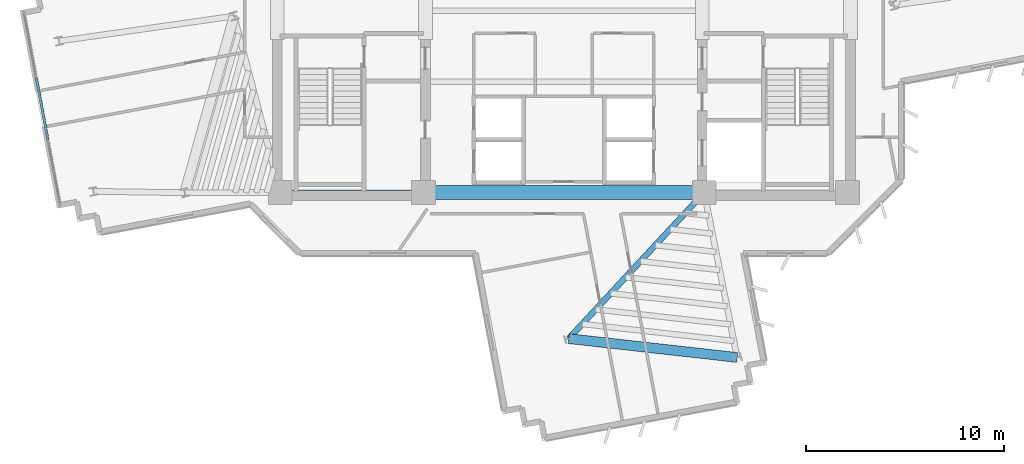
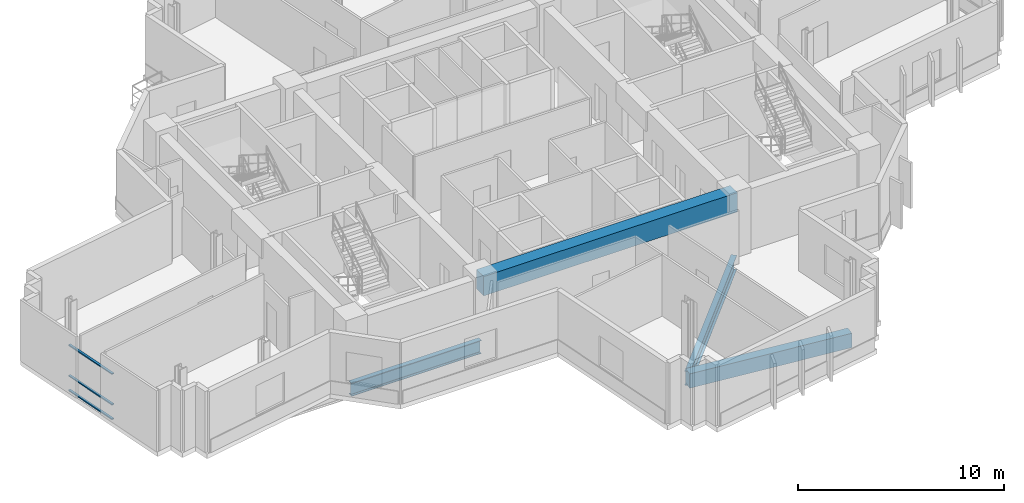
# One storey, part 3 of 16: 4 beams, 3 members, 1 element without a shape of its own.
"""IFC4 building model written with IfcOpenShell, lengths in metres."""

from ifc_helpers import new_model, si_unit, direction, frame, origin, origin_2d, place, context, subcontext, project, spatial, rectangle, i_section, extrude, source, transform, mapped, material, layer, layer_set, material_profile, profile_set, type_object, element, aggregate, save


model = new_model("IFC4")

# Units and contexts
model_context = context("Model", 3, precision=1e-05, world=origin(), true_north=direction((0.0, 1.0)))
body_context = subcontext(model_context, "Body", "Model", "MODEL_VIEW")
ifc_project = project(units=[si_unit("LENGTHUNIT", "METRE"), si_unit("AREAUNIT", "SQUARE_METRE"), si_unit("VOLUMEUNIT", "CUBIC_METRE"), si_unit("PLANEANGLEUNIT", "RADIAN"), si_unit("MASSUNIT", "GRAM", prefix="KILO")], contexts=[model_context])

# Site, building, storey
site_placement = place(None, origin())
site = spatial("IfcSite", under=ifc_project, at=site_placement, CompositionType="ELEMENT")
building_placement = place(site_placement, origin())
building = spatial("IfcBuilding", under=site, at=building_placement, Name="Zahravan Cultural Tower", CompositionType="ELEMENT")
storey_placement = place(building_placement, frame((0.0, 0.0, 147.300048828125)))
storey = spatial("IfcBuildingStorey", under=building, at=storey_placement, Name="L33", CompositionType="ELEMENT", Elevation=147.300048828125)

# Beams
ifc_material_1 = material(Name="Concrete C50/60", Category="concrete")
ifc_material_profile_1 = material_profile(ifc_material_1, rectangle(XDim=0.699951171875, YDim=1.14990234375, at=origin_2d()), Name="RC700X1150")
ifc_profile_set_1 = profile_set([ifc_material_profile_1], Name="Concrete C50/60")
beam_type_1 = type_object("IfcBeamType", Name="BM-LN-RC700X1150", PredefinedType="LINTEL", material=ifc_profile_set_1)
shared_shape_1 = source(origin(), body_context, "Body", "SweptSolid", [
    extrude(rectangle(XDim=0.699951171875, YDim=1.14990234375, at=origin_2d()), origin(), (0.0, 0.0, 1.0), 14.2001953125),
])
beam_1_placement = place(storey_placement, frame((28.89990234375, 17.800048828125, 3.044921875), z_axis=(1.0, 0.0, 0.0), x_axis=(0.0, 1.0, 0.0)))
element("IfcBeam", 1, at=beam_1_placement, inside=storey, type_object=beam_type_1, Name="L33 Beam LN-L33-S", PredefinedType="LINTEL", context=body_context, shape_type="MappedRepresentation", body=[
    mapped(shared_shape_1, transform((0.0, 0.0, 0.0), x_axis=(1.0, 0.0, 0.0), y_axis=(0.0, 1.0, 0.0), z_axis=(0.0, 0.0, 1.0), scale=1.0)),
])
ifc_material_2 = material(Name="Steel ASTM A992 Grade 50", Category="steel")
ifc_material_profile_2 = material_profile(ifc_material_2, i_section(OverallWidth=0.26611328125, OverallDepth=0.780029296875, WebThickness=0.0166015625, FlangeThickness=0.030029296875, FilletRadius=0.01904296875, at=origin_2d()), Name="W30X148")
ifc_profile_set_2 = profile_set([ifc_material_profile_2], Name="Steel ASTM A992 Grade 50")
beam_type_2 = type_object("IfcBeamType", Name="BM-G-W30X148", PredefinedType="BEAM", material=ifc_profile_set_2)
shared_shape_2 = source(origin(), body_context, "Body", "SweptSolid", [
    extrude(i_section(OverallWidth=0.26611328125, OverallDepth=0.780029296875, WebThickness=0.0166015625, FlangeThickness=0.030029296875, FilletRadius=0.01904296875, at=origin_2d()), origin(), (0.0, 0.0, 1.0), 7.25),
])
beam_2_placement = place(storey_placement, frame((21.64990234375, 17.800048828125, -0.670166015625), z_axis=(1.0, 0.0, 0.0), x_axis=(0.0, 1.0, 0.0)))
element("IfcBeam", 2, at=beam_2_placement, inside=storey, type_object=beam_type_2, Name="L33 Beam BG-L33-01", PredefinedType="BEAM", context=body_context, shape_type="MappedRepresentation", body=[
    mapped(shared_shape_2, transform((0.0, 0.0, 0.0), x_axis=(1.0, 0.0, 0.0), y_axis=(0.0, 1.0, 0.0), z_axis=(0.0, 0.0, 1.0), scale=1.0)),
])
ifc_material_profile_3 = material_profile(ifc_material_1, rectangle(XDim=0.5, YDim=0.85009765625, at=origin_2d()), Name="RC500X850")
ifc_profile_set_3 = profile_set([ifc_material_profile_3], Name="Concrete C50/60")
beam_type_3 = type_object("IfcBeamType", Name="BM-SP-RC500X850", PredefinedType="SPANDREL", material=ifc_profile_set_3)
shared_shape_3 = source(origin(), body_context, "Body", "SweptSolid", [
    extrude(rectangle(XDim=0.5, YDim=0.85009765625, at=origin_2d()), origin(), (0.0, 0.0, 1.0), 8.579833984375),
])
beam_3_placement = place(storey_placement, frame((36.245361328125, 10.412353515625, -0.705078125), z_axis=(0.9938040105, -0.11114669907, 0.0), x_axis=(0.11114669907, 0.9938040105, 0.0)))
element("IfcBeam", 3, at=beam_3_placement, inside=storey, type_object=beam_type_3, Name="L33 Beam SP-L33-20", PredefinedType="SPANDREL", context=body_context, shape_type="MappedRepresentation", body=[
    mapped(shared_shape_3, transform((0.0, 0.0, 0.0), x_axis=(1.0, 0.0, 0.0), y_axis=(0.0, 1.0, 0.0), z_axis=(0.0, 0.0, 1.0), scale=1.0)),
])
ifc_material_profile_4 = material_profile(ifc_material_2, i_section(OverallWidth=0.29296875, OverallDepth=0.845947265625, WebThickness=0.015380859375, FlangeThickness=0.0244140625, FilletRadius=0.02001953125, at=origin_2d()), Name="W33X141")
ifc_profile_set_4 = profile_set([ifc_material_profile_4], Name="Steel ASTM A992 Grade 50")
beam_type_4 = type_object("IfcBeamType", Name="BM-G-W33X141", PredefinedType="BEAM", material=ifc_profile_set_4)
shared_shape_4 = source(origin(), body_context, "Body", "SweptSolid", [
    extrude(i_section(OverallWidth=0.29296875, OverallDepth=0.845947265625, WebThickness=0.015380859375, FlangeThickness=0.0244140625, FilletRadius=0.02001953125, at=origin_2d()), origin(), (0.0, 0.0, 1.0), 10.077880859375),
])
beam_4_placement = place(storey_placement, frame((43.10009765625, 17.800048828125, -0.703125), z_axis=(-0.680170435587, -0.733054007938, 0.0), x_axis=(0.733054007938, -0.680170435587, 0.0)))
element("IfcBeam", 4, at=beam_4_placement, inside=storey, type_object=beam_type_4, Name="L33 Beam BG-L33-09", PredefinedType="BEAM", context=body_context, shape_type="MappedRepresentation", body=[
    mapped(shared_shape_4, transform((0.0, 0.0, 0.0), x_axis=(1.0, 0.0, 0.0), y_axis=(0.0, 1.0, 0.0), z_axis=(0.0, 0.0, 1.0), scale=1.0)),
])

# Curtain wall, members
ifc_material_3 = material(Name="Anodised bronze-aluminium mullion", Category="aluminium")
ifc_layer = layer(ifc_material_3, 0.1650390625)
ifc_layer_set = layer_set([ifc_layer], Name="Anodised bronze-aluminium mullion")
curtain_wall_type = type_object("IfcCurtainWallType", Name="CW-SYS-4", PredefinedType="USERDEFINED", material=ifc_layer_set)
curtain_wall_placement = place(storey_placement, origin())
curtain_wall = element("IfcCurtainWall", 5, at=curtain_wall_placement, inside=storey, type_object=curtain_wall_type, Name="L33 Recessed Curtain Wall CW-4.2", ObjectType="RECESSED GLAZING", PredefinedType="USERDEFINED")
ifc_material_profile_5 = material_profile(ifc_material_3, rectangle(XDim=0.1298828125, YDim=0.06494140625, at=origin_2d()), Name="AL-T65X130")
ifc_profile_set_5 = profile_set([ifc_material_profile_5], Name="Anodised bronze-aluminium mullion")
member_type = type_object("IfcMemberType", Name="CWT-CW-4", PredefinedType="USERDEFINED", material=ifc_profile_set_5)
shared_shape_5 = source(origin(), body_context, "Body", "SweptSolid", [
    extrude(rectangle(XDim=0.1298828125, YDim=0.06494140625, at=origin_2d()), origin(), (0.0, 0.0, 1.0), 3.241455078125),
])
member_1_placement = place(storey_placement, frame((9.901123046875, 20.44775390625, 0.032470703125), z_axis=(-0.184675048649, 0.982799636959, 0.0), x_axis=(-0.982799636959, -0.184675048649, 0.0)))
member_1 = element("IfcMember", 6, at=member_1_placement, type_object=member_type, Name="CW-4 transom 2.1", ObjectType="TRANSOM", PredefinedType="USERDEFINED", context=body_context, shape_type="MappedRepresentation", body=[
    mapped(shared_shape_5, transform((0.0, 0.0, 0.0), x_axis=(1.0, 0.0, 0.0), y_axis=(0.0, 1.0, 0.0), z_axis=(0.0, 0.0, 1.0), scale=1.0)),
])
member_2_placement = place(storey_placement, frame((9.901123046875, 20.44775390625, 0.89990234375), z_axis=(-0.184675048649, 0.982799636959, 0.0), x_axis=(-0.982799636959, -0.184675048649, 0.0)))
member_2 = element("IfcMember", 7, at=member_2_placement, type_object=member_type, Name="CW-4 transom 2.2", ObjectType="TRANSOM", PredefinedType="USERDEFINED", context=body_context, shape_type="MappedRepresentation", body=[
    mapped(shared_shape_5, transform((0.0, 0.0, 0.0), x_axis=(1.0, 0.0, 0.0), y_axis=(0.0, 1.0, 0.0), z_axis=(0.0, 0.0, 1.0), scale=1.0)),
])
member_3_placement = place(storey_placement, frame((9.901123046875, 20.44775390625, 2.70751953125), z_axis=(-0.184675048649, 0.982799636959, 0.0), x_axis=(-0.982799636959, -0.184675048649, 0.0)))
member_3 = element("IfcMember", 8, at=member_3_placement, type_object=member_type, Name="CW-4 transom 2.3", ObjectType="TRANSOM", PredefinedType="USERDEFINED", context=body_context, shape_type="MappedRepresentation", body=[
    mapped(shared_shape_5, transform((0.0, 0.0, 0.0), x_axis=(1.0, 0.0, 0.0), y_axis=(0.0, 1.0, 0.0), z_axis=(0.0, 0.0, 1.0), scale=1.0)),
])
aggregate(curtain_wall, [member_1, member_2, member_3])

save(model, "model.ifc")
